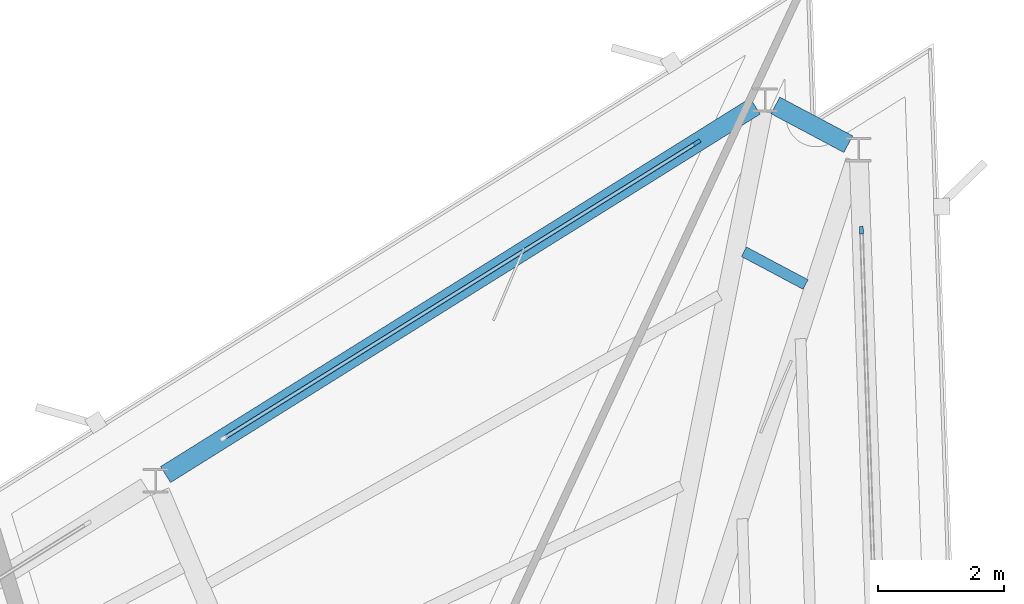
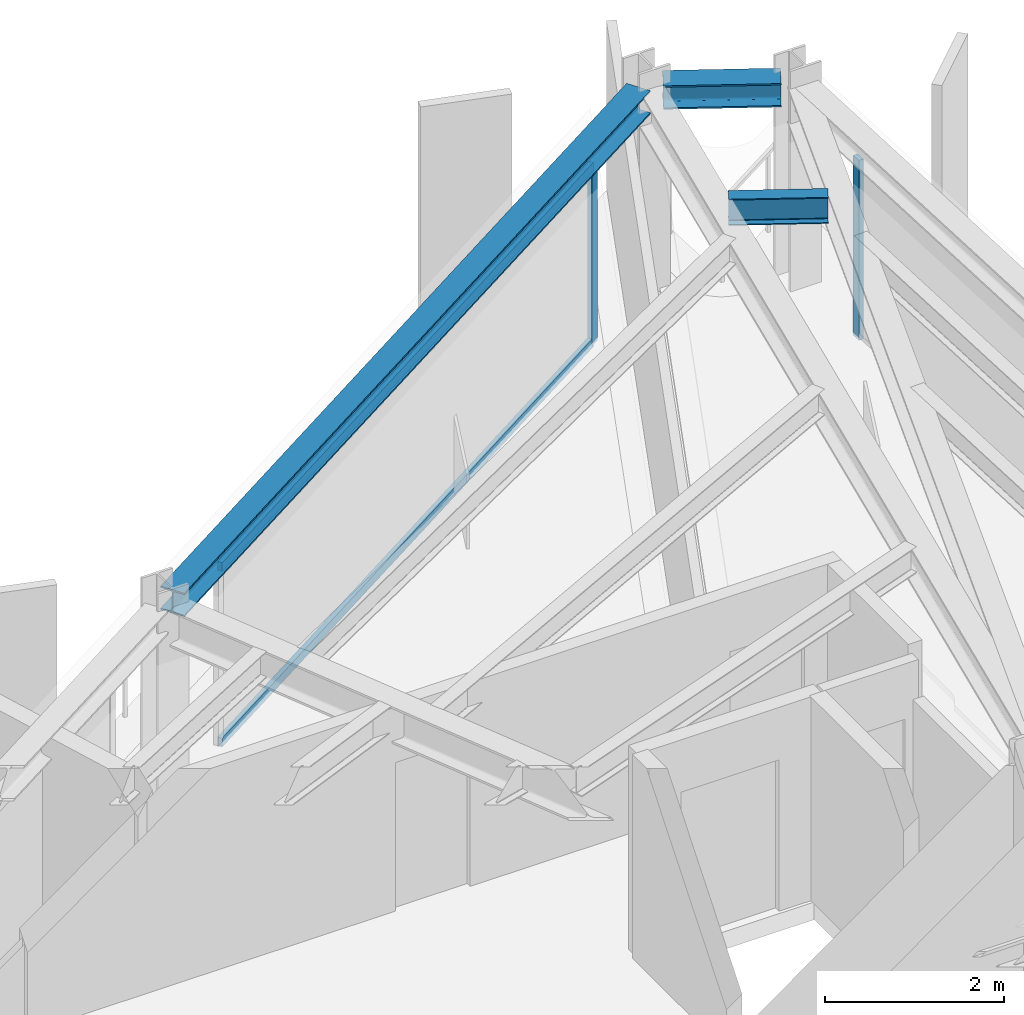
# One storey, part 7 of 13: 4 members, 3 beams, 2 elements without a shape of their own.
"""IFC4 building model written with IfcOpenShell, lengths in metres."""

import ifcopenshell
import ifcopenshell.guid

model = None  # the IFC model being written
_history = None  # IfcOwnerHistory: only IFC2X3 demands one
_inside = {}  # id of a spatial element -> (the spatial element, [elements in it])
_under = {}  # id of a project, library or spatial element -> (it, [spatial elements below it])
_declared = {}  # id of a project -> (the project, [libraries it declares])
_typed = {}  # id of a type object -> (the type object, [elements of that type])
_made_of = {}  # id of a material, layer set ... -> (it, [elements and type objects made of it])


def new_model(schema):
    """Start an empty IFC model of exactly this schema.

    Asked for "IFC4X3", IfcOpenShell would pick the latest addendum, in which some entities
    have other attributes; the version numbers below select the first issue.
    IFC2X3 requires an IfcOwnerHistory on every rooted entity: one is made here for all.
    """
    global model, _history
    if schema == "IFC4X3":
        model = ifcopenshell.file(schema_version=(4, 3, 0, 0))
    else:
        model = ifcopenshell.file(schema=schema)
    _inside.clear()
    _under.clear()
    _declared.clear()
    _typed.clear()
    _made_of.clear()
    _history = None
    if model.schema == "IFC2X3":
        org = make("IfcOrganization", Name="unknown")
        user = make(
            "IfcPersonAndOrganization",
            ThePerson=make("IfcPerson", FamilyName="unknown"),
            TheOrganization=org,
        )
        app = make(
            "IfcApplication",
            ApplicationDeveloper=org,
            Version="unknown",
            ApplicationFullName="unknown",
            ApplicationIdentifier="unknown",
        )
        _history = make(
            "IfcOwnerHistory",
            OwningUser=user,
            OwningApplication=app,
            ChangeAction="ADDED",
            CreationDate=0,
        )
    return model


def make(cls, **values):
    """One entity of the class cls with the attributes given. An attribute that is None is left unset."""
    return model.create_entity(
        cls, **{name: value for name, value in values.items() if value is not None}
    )


def rooted(cls, **values):
    """An entity with a GlobalId (a new one), such as an element, a storey or a relation."""
    return make(cls, GlobalId=ifcopenshell.guid.new(), OwnerHistory=_history, **values)


def si_unit(unit_type, name, prefix=None):
    """IfcSIUnit, for example si_unit("LENGTHUNIT", "METRE", prefix="MILLI")."""
    return make("IfcSIUnit", UnitType=unit_type, Prefix=prefix, Name=name)


def assignment(units):
    """IfcUnitAssignment: the units of a project."""
    return None if units is None else make("IfcUnitAssignment", Units=units)


def point(xyz):
    """IfcCartesianPoint."""
    return None if xyz is None else make("IfcCartesianPoint", Coordinates=xyz)


def direction(xyz):
    """IfcDirection."""
    return None if xyz is None else make("IfcDirection", DirectionRatios=xyz)


def frame(location, z_axis=None, x_axis=None):
    """IfcAxis2Placement3D, a coordinate frame: its origin and axes. An axis left out is left unset."""
    return make(
        "IfcAxis2Placement3D",
        Location=point(location),
        Axis=direction(z_axis),
        RefDirection=direction(x_axis),
    )


def frame_2d(location, x_axis=None):
    """IfcAxis2Placement2D, a coordinate frame in the plane: its origin and x axis."""
    return make(
        "IfcAxis2Placement2D", Location=point(location), RefDirection=direction(x_axis)
    )


def origin():
    """The frame at (0, 0, 0) with its axes left unset."""
    return frame((0.0, 0.0, 0.0))


def origin_2d():
    """The frame at (0, 0) in the plane with its x axis left unset."""
    return frame_2d((0.0, 0.0))


def place(relative_to, where):
    """IfcLocalPlacement: puts the frame where relative to a parent placement (None: the world)."""
    return make(
        "IfcLocalPlacement", PlacementRelTo=relative_to, RelativePlacement=where
    )


def context(
    kind, dimensions, precision=None, world=None, true_north=None, identifier=None
):
    """IfcGeometricRepresentationContext, for example the 3D "Model" context."""
    return make(
        "IfcGeometricRepresentationContext",
        ContextIdentifier=identifier,
        ContextType=kind,
        CoordinateSpaceDimension=dimensions,
        Precision=precision,
        WorldCoordinateSystem=world,
        TrueNorth=true_north,
    )


def subcontext(parent, identifier, kind, view, scale=None):
    """IfcGeometricRepresentationSubContext, for example "Body" below "Model"."""
    return make(
        "IfcGeometricRepresentationSubContext",
        ContextIdentifier=identifier,
        ContextType=kind,
        ParentContext=parent,
        TargetScale=scale,
        TargetView=view,
    )


def project(units=None, contexts=None):
    """IfcProject with its units and contexts."""
    return rooted(
        "IfcProject",
        Name="project",
        RepresentationContexts=contexts,
        UnitsInContext=assignment(units),
    )


def spatial(cls, under=None, at=None, **own):
    """A site, building, storey or space (cls), placed at a placement, below another one or the project."""
    s = rooted(cls, ObjectPlacement=at, **own)
    if under is not None:
        _under.setdefault(under.id(), (under, []))[1].append(s)
    return s


def profile(cls, at=None, kind="AREA", **sizes):
    """A parametric profile (cls). Its sizes go by their IFC names, for example OverallWidth=200.0."""
    return make(cls, ProfileType=kind, Position=at, **sizes)


def rectangle(**sizes):
    """IfcRectangleProfileDef."""
    return profile("IfcRectangleProfileDef", **sizes)


def i_section(**sizes):
    """IfcIShapeProfileDef."""
    return profile("IfcIShapeProfileDef", **sizes)


def extrude(swept, where, along, depth):
    """IfcExtrudedAreaSolid: the profile swept, set in the frame where, extruded along a direction by depth."""
    return make(
        "IfcExtrudedAreaSolid",
        SweptArea=swept,
        Position=where,
        ExtrudedDirection=direction(along),
        Depth=depth,
    )


def shape(context_of_items, identifier, shape_type, items):
    """IfcShapeRepresentation: the items that make up one representation, for example the "Body"."""
    return make(
        "IfcShapeRepresentation",
        ContextOfItems=context_of_items,
        RepresentationIdentifier=identifier,
        RepresentationType=shape_type,
        Items=items,
    )


def material(Name=None, Category=None):
    """IfcMaterial."""
    return make("IfcMaterial", Name=Name, Category=Category)


def layer(
    of_material, thickness, ventilated=None, Name=None, Category=None, Priority=None
):
    """IfcMaterialLayer: one layer of a wall or slab, of a material (None: an air gap)."""
    return make(
        "IfcMaterialLayer",
        Material=of_material,
        LayerThickness=thickness,
        IsVentilated=ventilated,
        Name=Name,
        Category=Category,
        Priority=Priority,
    )


def layer_set(layers, Name=None):
    """IfcMaterialLayerSet."""
    return make("IfcMaterialLayerSet", MaterialLayers=layers, LayerSetName=Name)


def material_profile(
    of_material, cross_section, Name=None, Category=None, Priority=None
):
    """IfcMaterialProfile: a cross section and its material."""
    return make(
        "IfcMaterialProfile",
        Name=Name,
        Material=of_material,
        Profile=cross_section,
        Priority=Priority,
        Category=Category,
    )


def profile_set(profiles, Name=None, composite=None):
    """IfcMaterialProfileSet."""
    return make(
        "IfcMaterialProfileSet",
        Name=Name,
        MaterialProfiles=profiles,
        CompositeProfile=composite,
    )


def made_of(thing, what):
    """Note that an element or type object is made of a material, layer set ...; save() writes the relation."""
    if what is not None:
        _made_of.setdefault(what.id(), (what, []))[1].append(thing)
    return thing


def type_object(cls, material=None, **own):
    """A type object (cls), such as IfcWallType, which elements share."""
    return made_of(rooted(cls, **own), material)


def element(
    cls,
    number,
    at=None,
    inside=None,
    cuts=None,
    type_object=None,
    material=None,
    context=None,
    identifier="Body",
    shape_type=None,
    held_by="IfcProductDefinitionShape",
    body=None,
    shapes=None,
    **own,
):
    """One element of the class cls, such as IfcWall. Its Tag is "e" and its number.

    at: its placement. inside: the storey or other place that contains it. cuts: it is an
    opening in that element (IfcRelVoidsElement). A single representation is given by context,
    identifier, shape_type and body (its items); several are given by shapes. held_by: the class
    of the entity that holds the representations. save() writes the other relations.
    """
    e = rooted(cls, Tag="e%d" % number, ObjectPlacement=at, **own)
    if body is not None:
        shapes = [shape(context, identifier, shape_type, body)]
    if shapes is not None:
        e.Representation = make(held_by, Representations=shapes)
    if inside is not None:
        _inside.setdefault(inside.id(), (inside, []))[1].append(e)
    if cuts is not None:
        rooted(
            "IfcRelVoidsElement", RelatingBuildingElement=cuts, RelatedOpeningElement=e
        )
    if type_object is not None:
        _typed.setdefault(type_object.id(), (type_object, []))[1].append(e)
    return made_of(e, material)


def aggregate(whole, parts):
    """IfcRelAggregates: a whole, such as a stair, and the parts it consists of."""
    return rooted("IfcRelAggregates", RelatingObject=whole, RelatedObjects=parts)


def save(model, path):
    """Write the relations noted so far, then the file.

    IfcRelAggregates (storeys below a building ...), IfcRelContainedInSpatialStructure (elements
    in a storey), IfcRelDefinesByType, IfcRelAssociatesMaterial and IfcRelDeclares: one each for
    every whole, place, type object, material and project.
    """
    for whole, parts in _under.values():
        aggregate(whole, parts)
    for where, things in _inside.values():
        rooted(
            "IfcRelContainedInSpatialStructure",
            RelatedElements=things,
            RelatingStructure=where,
        )
    for kind, things in _typed.values():
        rooted("IfcRelDefinesByType", RelatedObjects=things, RelatingType=kind)
    for what, things in _made_of.values():
        rooted("IfcRelAssociatesMaterial", RelatedObjects=things, RelatingMaterial=what)
    for by, libraries in _declared.values():
        rooted("IfcRelDeclares", RelatingContext=by, RelatedDefinitions=libraries)
    model.write(path)


model = new_model("IFC4")

# Units and contexts
model_context = context("Model", 3, precision=1e-05, world=origin(), true_north=direction((0.0, 1.0)))
body_context = subcontext(model_context, "Body", "Model", "MODEL_VIEW")
ifc_project = project(units=[si_unit("LENGTHUNIT", "METRE"), si_unit("AREAUNIT", "SQUARE_METRE"), si_unit("VOLUMEUNIT", "CUBIC_METRE"), si_unit("PLANEANGLEUNIT", "RADIAN"), si_unit("MASSUNIT", "GRAM", prefix="KILO")], contexts=[model_context])

# Site, building, storey
site_placement = place(None, origin())
site = spatial("IfcSite", under=ifc_project, at=site_placement, CompositionType="ELEMENT")
building_placement = place(site_placement, origin())
building = spatial("IfcBuilding", under=site, at=building_placement, Name="Rocaltana Carrier Exchange", CompositionType="ELEMENT")
storey_placement = place(building_placement, frame((0.0, 0.0, 196.639892578125)))
storey = spatial("IfcBuildingStorey", under=building, at=storey_placement, Name="L62", CompositionType="ELEMENT", Elevation=196.639892578125)

# Curtain wall, member
ifc_material_1 = material(Name="Aluminium 6063-T6", Category="aluminium")
ifc_layer = layer(ifc_material_1, 0.1201171875)
ifc_layer_set = layer_set([ifc_layer], Name="Aluminium 6063-T6")
curtain_wall_type = type_object("IfcCurtainWallType", Name="High-Altitude Thermal Curtain Wall CW-05", PredefinedType="NOTDEFINED", material=ifc_layer_set)
curtain_wall_1_placement = place(storey_placement, origin())
curtain_wall_1 = element("IfcCurtainWall", 1, at=curtain_wall_1_placement, inside=storey, type_object=curtain_wall_type, Name="L62 CW-05 Run CW-L62-F1S3", PredefinedType="NOTDEFINED")
ifc_material_2 = material(Name="Aluminium 6063-T6", Category="aluminium")
ifc_material_profile_1 = material_profile(ifc_material_2, rectangle(XDim=0.06005859375, YDim=0.1201171875, at=origin_2d()), Name="AL-60X120")
ifc_profile_set_1 = profile_set([ifc_material_profile_1], Name="Aluminium 6063-T6")
member_type_1 = type_object("IfcMemberType", Name="CW-05 Mullion AL-60X120", PredefinedType="MULLION", material=ifc_profile_set_1)
member_1_placement = place(storey_placement, frame((10.31396484375, 16.239990234375, 0.0), z_axis=(0.0, 0.0, 1.0), x_axis=(-0.999390720156, -0.034902556738, 0.0)))
member_1 = element("IfcMember", 2, at=member_1_placement, type_object=member_type_1, Name="CW-05 mullion 2", PredefinedType="MULLION", context=body_context, shape_type="SweptSolid", body=[
    extrude(rectangle(XDim=0.06005859375, YDim=0.1201171875, at=origin_2d()), origin(), (0.0, 0.0, 1.0), 2.447998046875),
])
aggregate(curtain_wall_1, [member_1])

# Curtain wall, members
curtain_wall_2_placement = place(storey_placement, origin())
curtain_wall_2 = element("IfcCurtainWall", 3, at=curtain_wall_2_placement, inside=storey, type_object=curtain_wall_type, Name="L62 CW-05 Run CW-L62-F2S1", PredefinedType="NOTDEFINED")
member_2_placement = place(storey_placement, frame((7.696044921875, 17.6318359375, 0.0), z_axis=(0.0, 0.0, 1.0), x_axis=(0.529928503412, -0.848042322807, 0.0)))
member_2 = element("IfcMember", 4, at=member_2_placement, type_object=member_type_1, Name="CW-05 mullion 1", PredefinedType="MULLION", context=body_context, shape_type="SweptSolid", body=[
    extrude(rectangle(XDim=0.06005859375, YDim=0.1201171875, at=origin_2d()), origin(), (0.0, 0.0, 1.0), 2.447998046875),
])
ifc_material_3 = material(Name="Aluminium 6063-T6", Category="aluminium")
ifc_material_profile_2 = material_profile(ifc_material_3, rectangle(XDim=0.06005859375, YDim=0.1201171875, at=origin_2d()), Name="AL-60X120")
ifc_profile_set_2 = profile_set([ifc_material_profile_2], Name="Aluminium 6063-T6")
member_type_2 = type_object("IfcMemberType", Name="CW-05 Transom AL-60X120", PredefinedType="USERDEFINED", material=ifc_profile_set_2)
member_3_placement = place(storey_placement, frame((7.67041015625, 17.615966796875, 0.030029296875), z_axis=(-0.848037208835, -0.529936687192, 0.0), x_axis=(0.529936687192, -0.848037208835, 0.0)))
member_3 = element("IfcMember", 5, at=member_3_placement, type_object=member_type_2, Name="CW-05 transom 1.1", ObjectType="TRANSOM", PredefinedType="USERDEFINED", context=body_context, shape_type="SweptSolid", body=[
    extrude(rectangle(XDim=0.06005859375, YDim=0.1201171875, at=origin_2d()), origin(), (0.0, 0.0, 1.0), 8.813232421875),
])
member_4_placement = place(storey_placement, frame((7.67041015625, 17.615966796875, 2.418212890625), z_axis=(-0.848037208835, -0.529936687192, 0.0), x_axis=(0.529936687192, -0.848037208835, 0.0)))
member_4 = element("IfcMember", 6, at=member_4_placement, type_object=member_type_2, Name="CW-05 transom 1.2", ObjectType="TRANSOM", PredefinedType="USERDEFINED", context=body_context, shape_type="SweptSolid", body=[
    extrude(rectangle(XDim=0.06005859375, YDim=0.1201171875, at=origin_2d()), origin(), (0.0, 0.0, 1.0), 8.813232421875),
])
aggregate(curtain_wall_2, [member_2, member_3, member_4])

# Beams
ifc_material_4 = material(Name="Steel S355", Category="steel")
ifc_material_profile_3 = material_profile(ifc_material_4, i_section(OverallWidth=0.172119140625, OverallDepth=0.35791015625, WebThickness=0.0078125, FlangeThickness=0.01318359375, FilletRadius=0.011962890625, at=origin_2d()), Name="W14X38")
ifc_profile_set_3 = profile_set([ifc_material_profile_3], Name="Steel S355")
beam_type_1 = type_object("IfcBeamType", Name="Floor Joist W14X38", PredefinedType="JOIST", material=ifc_profile_set_3)
beam_1_placement = place(storey_placement, frame((9.4248046875, 15.37353515625, 2.619140625), z_axis=(-0.882979040658, 0.469412413298, 0.0), x_axis=(-0.469412413298, -0.882979040658, 0.0)))
element("IfcBeam", 7, at=beam_1_placement, inside=storey, type_object=beam_type_1, Name="FJ-L62-04-3", PredefinedType="JOIST", context=body_context, shape_type="SweptSolid", body=[
    extrude(i_section(OverallWidth=0.172119140625, OverallDepth=0.35791015625, WebThickness=0.0078125, FlangeThickness=0.01318359375, FilletRadius=0.011962890625, at=origin_2d()), origin(), (0.0, 0.0, 1.0), 1.1103515625),
])
ifc_material_5 = material(Name="Steel S355", Category="steel")
ifc_material_profile_4 = material_profile(ifc_material_5, i_section(OverallWidth=0.300048828125, OverallDepth=0.320068359375, WebThickness=0.011474609375, FlangeThickness=0.0205078125, FilletRadius=0.027099609375, at=origin_2d()), Name="HEB320")
ifc_profile_set_4 = profile_set([ifc_material_profile_4], Name="Steel S355")
beam_type_2 = type_object("IfcBeamType", Name="Spandrel Edge Beam HEB320", PredefinedType="SPANDREL", material=ifc_profile_set_4)
beam_2_placement = place(storey_placement, frame((10.10546875, 17.606201171875, 2.63818359375), z_axis=(-0.883000211898, 0.469372587385, 0.0), x_axis=(-0.469372587385, -0.883000211898, 0.0)))
element("IfcBeam", 8, at=beam_2_placement, inside=storey, type_object=beam_type_2, Name="SP-L62-04", PredefinedType="SPANDREL", context=body_context, shape_type="SweptSolid", body=[
    extrude(i_section(OverallWidth=0.300048828125, OverallDepth=0.320068359375, WebThickness=0.011474609375, FlangeThickness=0.0205078125, FilletRadius=0.027099609375, at=origin_2d()), origin(), (0.0, 0.0, 1.0), 1.31396484375),
])
beam_3_placement = place(storey_placement, frame((8.624267578125, 18.2119140625, 2.63818359375), z_axis=(-0.848040456441, -0.529931490138, 0.0), x_axis=(0.529931490138, -0.848040456441, 0.0)))
element("IfcBeam", 9, at=beam_3_placement, inside=storey, type_object=beam_type_2, Name="SP-L62-05", PredefinedType="SPANDREL", context=body_context, shape_type="SweptSolid", body=[
    extrude(i_section(OverallWidth=0.300048828125, OverallDepth=0.320068359375, WebThickness=0.011474609375, FlangeThickness=0.0205078125, FilletRadius=0.027099609375, at=origin_2d()), origin(), (0.0, 0.0, 1.0), 11.0625),
])

save(model, "model.ifc")
